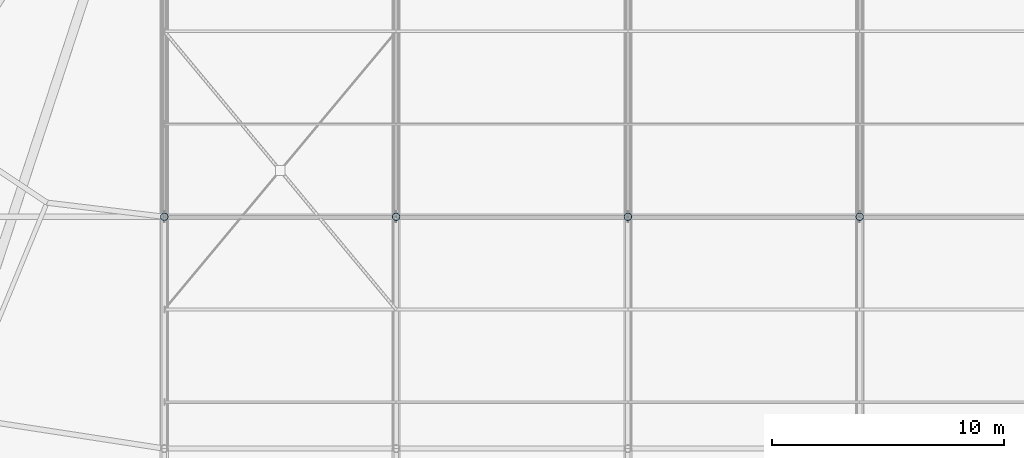
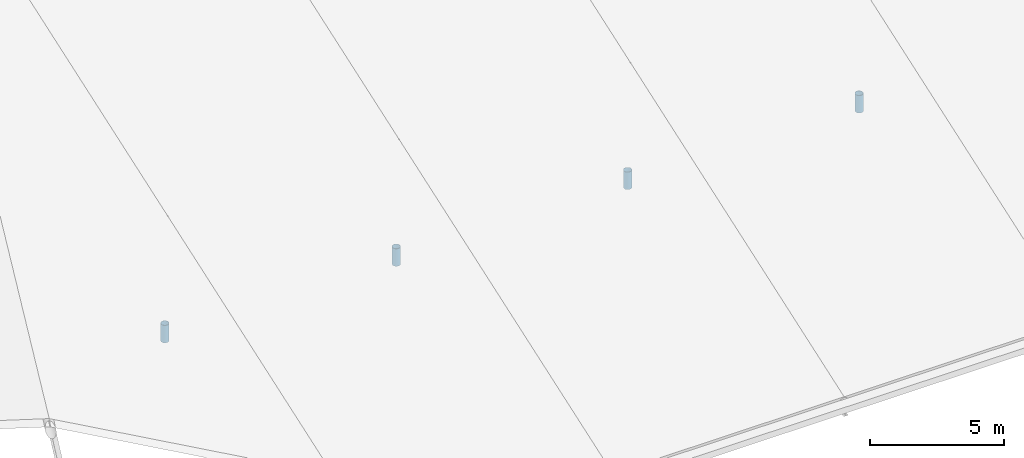
# One storey, part 75 of 93: 4 members.
"""IFC4 building model written with IfcOpenShell, lengths in metres."""

from ifc_helpers import new_model, si_unit, derived_unit, direction, frame, origin, origin_2d_with_axis, place, context, subcontext, project, spatial, hollow_circle, extrude, material, material_profile, profile_set, type_object, element, save


model = new_model("IFC4")

# Units and contexts
model_context = context("Model", 3, precision=1e-05, world=origin(), true_north=direction((0.0, 1.0)))
body_context = subcontext(model_context, "Body", "Model", "MODEL_VIEW")
ifc_project = project(units=[si_unit("LENGTHUNIT", "METRE"), si_unit("AREAUNIT", "SQUARE_METRE"), si_unit("VOLUMEUNIT", "CUBIC_METRE"), si_unit("PLANEANGLEUNIT", "RADIAN"), si_unit("MASSUNIT", "GRAM", prefix="KILO"), derived_unit("THERMALTRANSMITTANCEUNIT", [(si_unit("POWERUNIT", "WATT"), 1), (si_unit("LENGTHUNIT", "METRE"), -2), (si_unit("THERMODYNAMICTEMPERATUREUNIT", "KELVIN"), -1)])], contexts=[model_context])

# Site, building, storey
site_placement = place(None, origin())
site = spatial("IfcSite", under=ifc_project, at=site_placement, CompositionType="ELEMENT")
building_placement = place(site_placement, origin())
building = spatial("IfcBuilding", under=site, at=building_placement, Name="Cinnabar Yard Market Hall", CompositionType="ELEMENT")
storey_placement = place(building_placement, frame((0.0, 0.0, 23.800048828125)))
storey = spatial("IfcBuildingStorey", under=building, at=storey_placement, Name="ROOF", CompositionType="ELEMENT", Elevation=23.800048828125)

# Members
ifc_material = material(Name="Spotted-gum glulam-clad steel Grade 350 (350 MPa)", Category="steel")
ifc_material_profile = material_profile(ifc_material, hollow_circle(Radius=0.161865234375, WallThickness=0.009521484375, at=origin_2d_with_axis()), Name="323.9x9.5CHS")
ifc_profile_set = profile_set([ifc_material_profile], Name="Spotted-gum glulam-clad steel Grade 350 (350 MPa)")
member_type = type_object("IfcMemberType", Name="MB-ST01", PredefinedType="STRUT", material=ifc_profile_set)
for number, where, z_axis, x_axis, name in (
    (1, (86.0, 24.0, -9.400146484375), (0.0, 0.0, 1.0), (1.0, 0.0, 0.0), "Truss Bearing Post 86-24"),
    (2, (96.0, 24.0, -9.400146484375), (0.0, 0.0, 1.0), (1.0, 0.0, 0.0), "Truss Bearing Post 96-24"),
    (3, (106.0, 24.0, -9.400146484375), (0.0, 0.0, 1.0), (1.0, 0.0, 0.0), "Truss Bearing Post 106-24"),
    (4, (116.0, 24.0, -9.400146484375), (0.0, 0.0, 1.0), (1.0, 0.0, 0.0), "Truss Bearing Post 116-24"),
):
    element("IfcMember", number, at=place(storey_placement, frame(where, z_axis=z_axis, x_axis=x_axis)), inside=storey, type_object=member_type, Name=name, PredefinedType="STRUT", context=body_context, shape_type="SweptSolid", body=[
        extrude(hollow_circle(Radius=0.161865234375, WallThickness=0.009521484375, at=origin_2d_with_axis()), origin(), (0.0, 0.0, 1.0), 0.800048828125),
    ])

save(model, "model.ifc")
